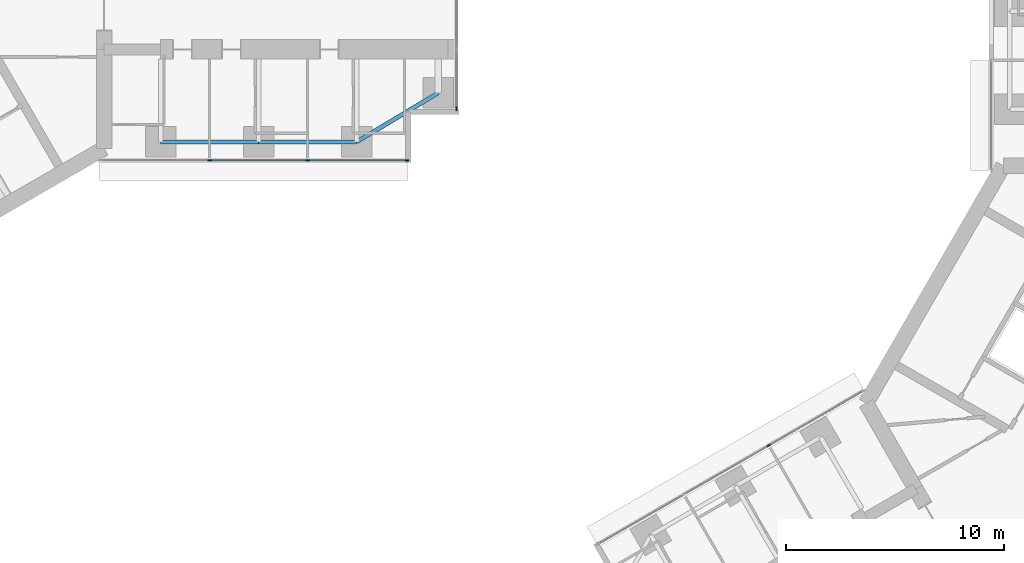
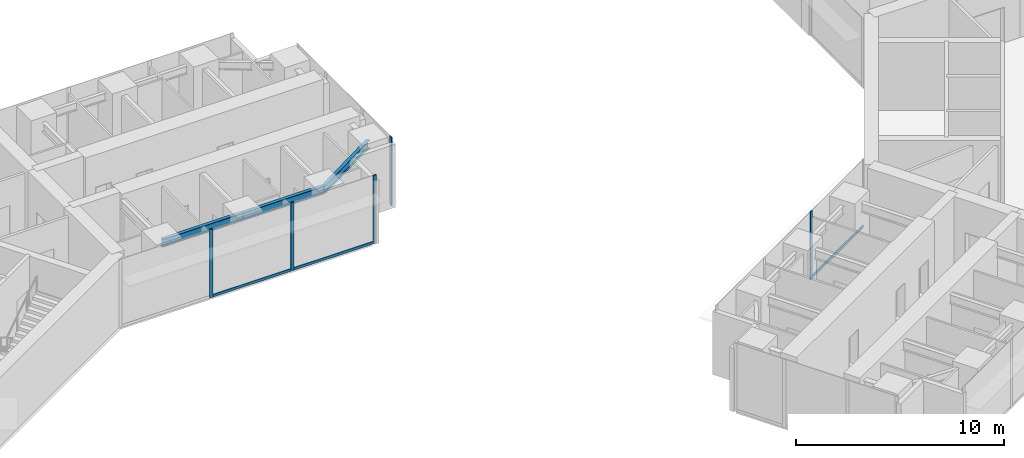
# One storey, part 5 of 25: 8 members, 3 beams, 3 elements without a shape of their own.
"""IFC4 building model written with IfcOpenShell, lengths in metres."""

from ifc_helpers import new_model, si_unit, direction, frame, origin, origin_2d, place, context, subcontext, project, spatial, rectangle, i_section, extrude, material, material_profile, profile_set, type_object, element, aggregate, save


model = new_model("IFC4")

# Units and contexts
model_context = context("Model", 3, precision=1e-05, world=origin(), true_north=direction((0.0, 1.0)))
body_context = subcontext(model_context, "Body", "Model", "MODEL_VIEW")
ifc_project = project(units=[si_unit("LENGTHUNIT", "METRE"), si_unit("AREAUNIT", "SQUARE_METRE"), si_unit("VOLUMEUNIT", "CUBIC_METRE"), si_unit("PLANEANGLEUNIT", "RADIAN"), si_unit("MASSUNIT", "GRAM", prefix="KILO")], contexts=[model_context])

# Site, building, storey
site_placement = place(None, origin())
site = spatial("IfcSite", under=ifc_project, at=site_placement, CompositionType="ELEMENT")
building_placement = place(site_placement, origin())
building = spatial("IfcBuilding", under=site, at=building_placement, Name="Upepo Twin Towers", CompositionType="ELEMENT")
storey_placement = place(building_placement, frame((0.0, 0.0, 88.5)))
storey = spatial("IfcBuildingStorey", under=building, at=storey_placement, Name="L21", CompositionType="ELEMENT", Elevation=88.5)

# Beams
ifc_material_1 = material(Name="Steel S355", Category="steel")
ifc_material_profile_1 = material_profile(ifc_material_1, i_section(OverallWidth=0.1904296875, OverallDepth=0.45703125, WebThickness=0.009033203125, FlangeThickness=0.014404296875, FilletRadius=0.01025390625, at=origin_2d()), Name="UB 457x191x74")
ifc_profile_set_1 = profile_set([ifc_material_profile_1], Name="Steel S355")
beam_type = type_object("IfcBeamType", Name="Beam UB 457x191x74", PredefinedType="BEAM", material=ifc_profile_set_1)
for number, where, z_axis, x_axis, name in (
    (1, (13.5, -6.0, 3.471435546875), (1.0, 0.0, 0.0), (0.0, 1.0, 0.0), "T1 edge beam AR 13.5-18.0"),
    (2, (18.0, -6.0, 3.471435546875), (1.0, 0.0, 0.0), (0.0, 1.0, 0.0), "T1 edge beam AR 18.0-22.5"),
):
    element("IfcBeam", number, at=place(storey_placement, frame(where, z_axis=z_axis, x_axis=x_axis)), inside=storey, type_object=beam_type, Name=name, PredefinedType="BEAM", context=body_context, shape_type="SweptSolid", body=[
        extrude(i_section(OverallWidth=0.1904296875, OverallDepth=0.45703125, WebThickness=0.009033203125, FlangeThickness=0.014404296875, FilletRadius=0.01025390625, at=origin_2d()), origin(), (0.0, 0.0, 1.0), 4.5),
    ])
beam_placement = place(storey_placement, frame((22.5, -6.0, 3.471435546875), z_axis=(0.857492925713, 0.514495755428, 0.0), x_axis=(-0.514495755428, 0.857492925713, 0.0)))
element("IfcBeam", 3, at=beam_placement, inside=storey, type_object=beam_type, Name="T1 nose edge beam AR", PredefinedType="BEAM", context=body_context, shape_type="SweptSolid", body=[
    extrude(i_section(OverallWidth=0.1904296875, OverallDepth=0.45703125, WebThickness=0.009033203125, FlangeThickness=0.014404296875, FilletRadius=0.01025390625, at=origin_2d()), origin(), (0.0, 0.0, 1.0), 4.373291015625),
])

# Curtain wall, members
ifc_material_2 = material(Name="Aluminium and fritted glass", Category="aluminium")
curtain_wall_type = type_object("IfcCurtainWallType", Name="Tower curtain wall TW1, fritted glass", PredefinedType="NOTDEFINED", material=ifc_material_2)
curtain_wall_1_placement = place(storey_placement, origin())
curtain_wall_1 = element("IfcCurtainWall", 4, at=curtain_wall_1_placement, inside=storey, type_object=curtain_wall_type, Name="T1 L21 wing A flank R curtain wall", PredefinedType="NOTDEFINED")
ifc_material_3 = material(Name="Aluminium mullion", Category="aluminium")
ifc_material_profile_2 = material_profile(ifc_material_3, rectangle(XDim=0.06494140625, YDim=0.179931640625, at=origin_2d()), Name="MULLION 65x180")
ifc_profile_set_2 = profile_set([ifc_material_profile_2], Name="Aluminium mullion")
member_type_1 = type_object("IfcMemberType", Name="Mullion 65x180 TW1", PredefinedType="MULLION", material=ifc_profile_set_2)
member_1_placement = place(storey_placement, frame((24.8173828125, -6.85009765625, 0.0), z_axis=(0.0, 0.0, 1.0), x_axis=(0.0, -1.0, 0.0)))
member_1 = element("IfcMember", 5, at=member_1_placement, type_object=member_type_1, Name="T1 L21 wing A flank R curtain wall mullion 1", PredefinedType="MULLION", context=body_context, shape_type="SweptSolid", body=[
    extrude(rectangle(XDim=0.06494140625, YDim=0.179931640625, at=origin_2d()), origin(), (0.0, 0.0, 1.0), 4.0),
])
member_2_placement = place(storey_placement, frame((20.25, -6.85009765625, 0.0), z_axis=(0.0, 0.0, 1.0), x_axis=(0.0, -1.0, 0.0)))
member_2 = element("IfcMember", 6, at=member_2_placement, type_object=member_type_1, Name="T1 L21 wing A flank R curtain wall mullion 2", PredefinedType="MULLION", context=body_context, shape_type="SweptSolid", body=[
    extrude(rectangle(XDim=0.06494140625, YDim=0.179931640625, at=origin_2d()), origin(), (0.0, 0.0, 1.0), 4.0),
])
member_3_placement = place(storey_placement, frame((15.75, -6.85009765625, 0.0), z_axis=(0.0, 0.0, 1.0), x_axis=(0.0, -1.0, 0.0)))
member_3 = element("IfcMember", 7, at=member_3_placement, type_object=member_type_1, Name="T1 L21 wing A flank R curtain wall mullion 3", PredefinedType="MULLION", context=body_context, shape_type="SweptSolid", body=[
    extrude(rectangle(XDim=0.06494140625, YDim=0.179931640625, at=origin_2d()), origin(), (0.0, 0.0, 1.0), 4.0),
])

# Curtain wall, member
curtain_wall_2_placement = place(storey_placement, origin())
curtain_wall_2 = element("IfcCurtainWall", 8, at=curtain_wall_2_placement, inside=storey, type_object=curtain_wall_type, Name="T1 L21 wing A nose curtain wall", PredefinedType="NOTDEFINED")
member_4_placement = place(storey_placement, frame((27.10009765625, -4.467529296875, 0.0), z_axis=(0.0, 0.0, 1.0), x_axis=(-1.0, 0.0, 0.0)))
member_4 = element("IfcMember", 9, at=member_4_placement, type_object=member_type_1, Name="T1 L21 wing A nose curtain wall mullion 1", PredefinedType="MULLION", context=body_context, shape_type="SweptSolid", body=[
    extrude(rectangle(XDim=0.06494140625, YDim=0.179931640625, at=origin_2d()), origin(), (0.0, 0.0, 1.0), 4.0),
])
aggregate(curtain_wall_2, [member_4])

curtain_wall_3_placement = place(storey_placement, origin())
curtain_wall_3 = element("IfcCurtainWall", 10, at=curtain_wall_3_placement, inside=storey, type_object=curtain_wall_type, Name="T2 L21 wing B flank R curtain wall", PredefinedType="NOTDEFINED")
member_5_placement = place(storey_placement, frame((41.43505859375, -19.942626953125, 0.0), z_axis=(0.0, 0.0, 1.0), x_axis=(-0.500000024426, 0.866025389682, 0.0)))
member_5 = element("IfcMember", 11, at=member_5_placement, type_object=member_type_1, Name="T2 L21 wing B flank R curtain wall mullion 3", PredefinedType="MULLION", context=body_context, shape_type="SweptSolid", body=[
    extrude(rectangle(XDim=0.06494140625, YDim=0.179931640625, at=origin_2d()), origin(), (0.0, 0.0, 1.0), 4.0),
])

# Member
ifc_material_4 = material(Name="Aluminium transom", Category="aluminium")
ifc_material_profile_3 = material_profile(ifc_material_4, rectangle(XDim=0.06494140625, YDim=0.14990234375, at=origin_2d()), Name="TRANSOM 65x150")
ifc_profile_set_3 = profile_set([ifc_material_profile_3], Name="Aluminium transom")
member_type_2 = type_object("IfcMemberType", Name="Transom 65x150 TW1", PredefinedType="USERDEFINED", material=ifc_profile_set_3)
member_6_placement = place(storey_placement, frame((24.784912109375, -6.85009765625, 0.074951171875), z_axis=(-1.0, 0.0, 0.0), x_axis=(0.0, -1.0, 0.0)))
member_6 = element("IfcMember", 12, at=member_6_placement, type_object=member_type_2, Name="T1 L21 wing A flank R curtain wall transom 1", ObjectType="TRANSOM", PredefinedType="USERDEFINED", context=body_context, shape_type="SweptSolid", body=[
    extrude(rectangle(XDim=0.06494140625, YDim=0.14990234375, at=origin_2d()), origin(), (0.0, 0.0, 1.0), 4.50244140625),
])

member_7_placement = place(storey_placement, frame((20.217529296875, -6.85009765625, 0.074951171875), z_axis=(-1.0, 0.0, 0.0), x_axis=(0.0, -1.0, 0.0)))
member_7 = element("IfcMember", 13, at=member_7_placement, type_object=member_type_2, Name="T1 L21 wing A flank R curtain wall transom 2", ObjectType="TRANSOM", PredefinedType="USERDEFINED", context=body_context, shape_type="SweptSolid", body=[
    extrude(rectangle(XDim=0.06494140625, YDim=0.14990234375, at=origin_2d()), origin(), (0.0, 0.0, 1.0), 4.43505859375),
])

aggregate(curtain_wall_1, [member_1, member_2, member_3, member_6, member_7])

member_8_placement = place(storey_placement, frame((41.463134765625, -19.926513671875, 0.074951171875), z_axis=(0.866034933967, 0.499983492876, 0.0), x_axis=(-0.499983492876, 0.866034933967, 0.0)))
member_8 = element("IfcMember", 14, at=member_8_placement, type_object=member_type_2, Name="T2 L21 wing B flank R curtain wall transom 3", ObjectType="TRANSOM", PredefinedType="USERDEFINED", context=body_context, shape_type="SweptSolid", body=[
    extrude(rectangle(XDim=0.06494140625, YDim=0.14990234375, at=origin_2d()), origin(), (0.0, 0.0, 1.0), 4.965576171875),
])

aggregate(curtain_wall_3, [member_5, member_8])

save(model, "model.ifc")
